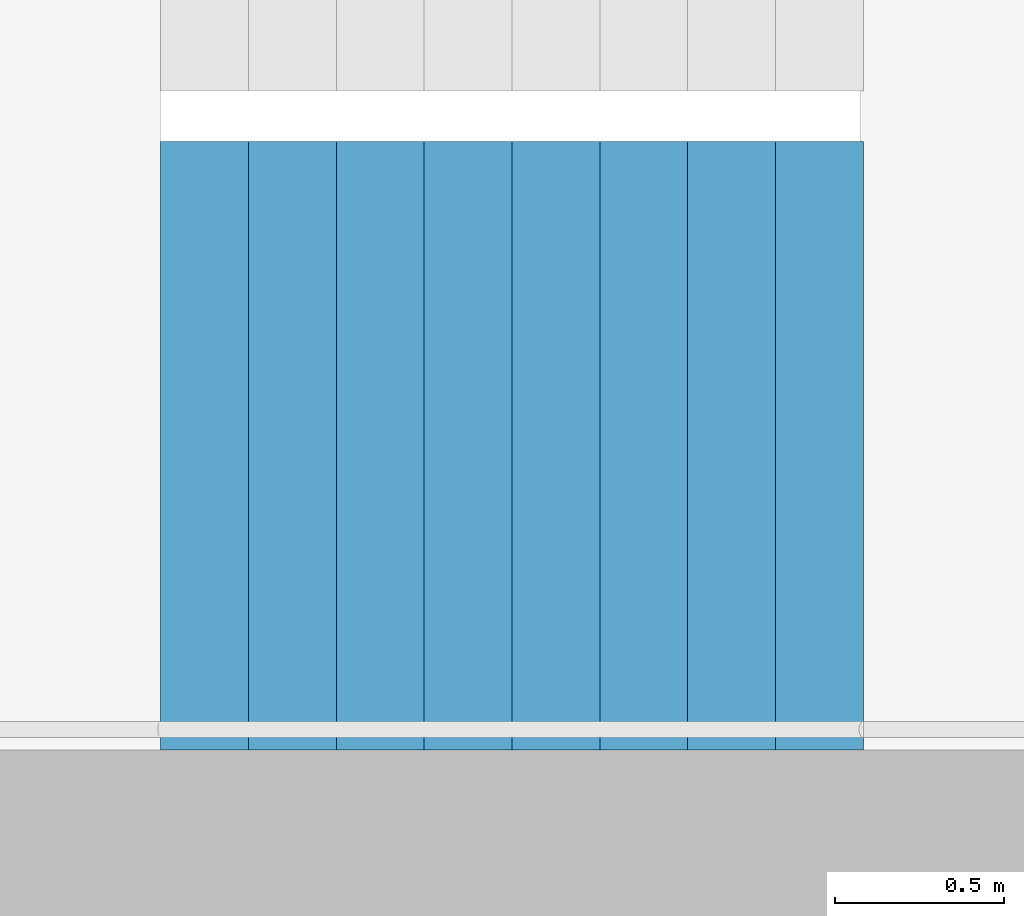
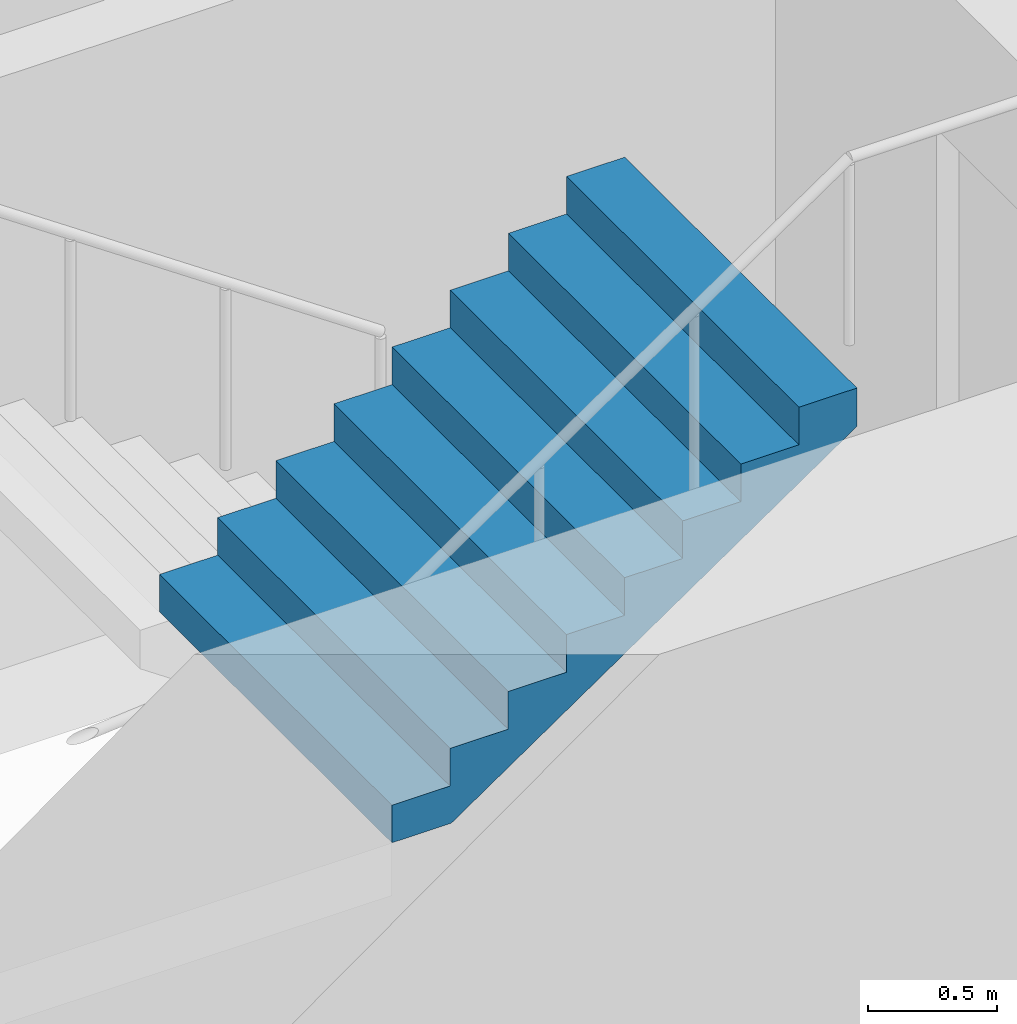
# One storey, part 21 of 29: 1 stair flight, 1 element without a shape of its own.
"""IFC4 building model written with IfcOpenShell, lengths in metres."""

from ifc_helpers import new_model, si_unit, direction, frame, origin, place, context, subcontext, project, spatial, triangles, material, type_object, element, aggregate, save


model = new_model("IFC4")

# Units and contexts
model_context = context("Model", 3, precision=1e-05, world=origin(), true_north=direction((0.0, 1.0)))
body_context = subcontext(model_context, "Body", "Model", "MODEL_VIEW")
ifc_project = project(units=[si_unit("LENGTHUNIT", "METRE"), si_unit("AREAUNIT", "SQUARE_METRE"), si_unit("VOLUMEUNIT", "CUBIC_METRE"), si_unit("PLANEANGLEUNIT", "RADIAN"), si_unit("MASSUNIT", "GRAM", prefix="KILO")], contexts=[model_context])

# Site, building, storey
site_placement = place(None, origin())
site = spatial("IfcSite", under=ifc_project, at=site_placement, CompositionType="ELEMENT")
building_placement = place(site_placement, origin())
building = spatial("IfcBuilding", under=site, at=building_placement, Name="Hakoniwa Tower and Hamabe Station Hall", CompositionType="ELEMENT")
storey_placement = place(building_placement, frame((0.0, 0.0, 88.199951171875)))
storey = spatial("IfcBuildingStorey", under=building, at=storey_placement, Name="L24", CompositionType="ELEMENT", Elevation=88.199951171875)

# Stair, stair flight
ifc_material_1 = material(Name="Concrete C40", Category="concrete")
stair_type = type_object("IfcStairType", Name="ESCAPE STAIR 1800", PredefinedType="HALF_TURN_STAIR", material=ifc_material_1)
stair_placement = place(storey_placement, origin())
stair = element("IfcStair", 1, at=stair_placement, inside=storey, type_object=stair_type, Name="Escape stair ST-2 L24", PredefinedType="HALF_TURN_STAIR")
ifc_material_2 = material(Name="Concrete C40", Category="concrete")
stair_flight_type = type_object("IfcStairFlightType", Name="STAIR FLIGHT 1800", PredefinedType="STRAIGHT", material=ifc_material_2)
stair_flight_placement = place(storey_placement, frame((-25.47998046875, -6.60009765625, 1.60009765625), z_axis=(0.0, 0.0, 1.0), x_axis=(1.0, 0.0, 0.0)))
stair_flight = element("IfcStairFlight", 2, at=stair_flight_placement, type_object=stair_flight_type, Name="ST-2 flight 2", NumberOfRisers=9, NumberOfTreads=8, PredefinedType="STRAIGHT", RiserHeight=0.177777778, TreadLength=0.26, context=body_context, shape_type="Tessellation", body=[
    triangles([(0.0, 0.89990234375, 0.0), (0.260009765625, 0.89990234375, 0.0), (0.265625, 0.89990234375, 0.0), (0.52001953125, 0.89990234375, 0.174072265625), (0.780029296875, 0.89990234375, 0.351806640625), (1.0400390625, 0.89990234375, 0.529541015625), (1.300048828125, 0.89990234375, 0.707275390625), (1.56005859375, 0.89990234375, 0.885009765625), (1.820068359375, 0.89990234375, 1.062744140625), (2.080078125, 0.89990234375, 1.24072265625), (2.080078125, 0.89990234375, 1.422119140625), (1.820068359375, 0.89990234375, 1.422119140625), (1.820068359375, 0.89990234375, 1.244384765625), (1.56005859375, 0.89990234375, 1.244384765625), (1.56005859375, 0.89990234375, 1.066650390625), (1.300048828125, 0.89990234375, 1.066650390625), (1.300048828125, 0.89990234375, 0.888916015625), (1.0400390625, 0.89990234375, 0.888916015625), (1.0400390625, 0.89990234375, 0.711181640625), (0.780029296875, 0.89990234375, 0.711181640625), (0.780029296875, 0.89990234375, 0.533447265625), (0.52001953125, 0.89990234375, 0.533447265625), (0.52001953125, 0.89990234375, 0.35546875), (0.265625, 0.89990234375, 0.35546875), (0.260009765625, 0.89990234375, 0.35546875), (0.260009765625, 0.89990234375, 0.177734375), (0.0, 0.89990234375, 0.177734375), (0.0, 0.06005859375, 0.0), (0.260009765625, 0.06005859375, 0.0), (0.265625, 0.06005859375, 0.0), (0.52001953125, 0.06005859375, 0.174072265625), (0.780029296875, 0.06005859375, 0.351806640625), (1.0400390625, 0.06005859375, 0.529541015625), (1.300048828125, 0.06005859375, 0.707275390625), (1.56005859375, 0.06005859375, 0.885009765625), (1.820068359375, 0.06005859375, 1.062744140625), (2.080078125, 0.06005859375, 1.24072265625), (2.080078125, 0.06005859375, 1.422119140625), (1.820068359375, 0.06005859375, 1.422119140625), (1.820068359375, 0.06005859375, 1.244384765625), (1.56005859375, 0.06005859375, 1.244384765625), (1.56005859375, 0.06005859375, 1.066650390625), (1.300048828125, 0.06005859375, 1.066650390625), (1.300048828125, 0.06005859375, 0.888916015625), (1.0400390625, 0.06005859375, 0.888916015625), (1.0400390625, 0.06005859375, 0.711181640625), (0.780029296875, 0.06005859375, 0.711181640625), (0.780029296875, 0.06005859375, 0.533447265625), (0.52001953125, 0.06005859375, 0.533447265625), (0.52001953125, 0.06005859375, 0.35546875), (0.265625, 0.06005859375, 0.35546875), (0.260009765625, 0.06005859375, 0.35546875), (0.260009765625, 0.06005859375, 0.177734375), (0.0, 0.06005859375, 0.177734375), (0.0, 0.04296875, 0.0), (0.260009765625, 0.04296875, 0.0), (0.265625, 0.04296875, 0.0), (0.52001953125, 0.04296875, 0.174072265625), (0.780029296875, 0.04296875, 0.351806640625), (1.0400390625, 0.04296875, 0.529541015625), (1.300048828125, 0.04296875, 0.707275390625), (1.56005859375, 0.04296875, 0.885009765625), (1.820068359375, 0.04296875, 1.062744140625), (2.080078125, 0.04296875, 1.24072265625), (2.080078125, 0.04296875, 1.422119140625), (1.820068359375, 0.04296875, 1.422119140625), (1.820068359375, 0.04296875, 1.244384765625), (1.56005859375, 0.04296875, 1.244384765625), (1.56005859375, 0.04296875, 1.066650390625), (1.300048828125, 0.04296875, 1.066650390625), (1.300048828125, 0.04296875, 0.888916015625), (1.0400390625, 0.04296875, 0.888916015625), (1.0400390625, 0.04296875, 0.711181640625), (0.780029296875, 0.04296875, 0.711181640625), (0.780029296875, 0.04296875, 0.533447265625), (0.52001953125, 0.04296875, 0.533447265625), (0.52001953125, 0.04296875, 0.35546875), (0.265625, 0.04296875, 0.35546875), (0.260009765625, 0.04296875, 0.35546875), (0.260009765625, 0.04296875, 0.177734375), (0.0, 0.04296875, 0.177734375), (0.0, 0.025634765625, 0.0), (0.260009765625, 0.025634765625, 0.0), (0.265625, 0.025634765625, 0.0), (0.52001953125, 0.025634765625, 0.174072265625), (0.780029296875, 0.025634765625, 0.351806640625), (1.0400390625, 0.025634765625, 0.529541015625), (1.300048828125, 0.025634765625, 0.707275390625), (1.56005859375, 0.025634765625, 0.885009765625), (1.820068359375, 0.025634765625, 1.062744140625), (2.080078125, 0.025634765625, 1.24072265625), (2.080078125, 0.025634765625, 1.422119140625), (1.820068359375, 0.025634765625, 1.422119140625), (1.820068359375, 0.025634765625, 1.244384765625), (1.56005859375, 0.025634765625, 1.244384765625), (1.56005859375, 0.025634765625, 1.066650390625), (1.300048828125, 0.025634765625, 1.066650390625), (1.300048828125, 0.025634765625, 0.888916015625), (1.0400390625, 0.025634765625, 0.888916015625), (1.0400390625, 0.025634765625, 0.711181640625), (0.780029296875, 0.025634765625, 0.711181640625), (0.780029296875, 0.025634765625, 0.533447265625), (0.52001953125, 0.025634765625, 0.533447265625), (0.52001953125, 0.025634765625, 0.35546875), (0.265625, 0.025634765625, 0.35546875), (0.260009765625, 0.025634765625, 0.35546875), (0.260009765625, 0.025634765625, 0.177734375), (0.0, 0.025634765625, 0.177734375), (0.0, 0.008544921875, 0.0), (0.260009765625, 0.008544921875, 0.0), (0.265625, 0.008544921875, 0.0), (0.52001953125, 0.008544921875, 0.174072265625), (0.780029296875, 0.008544921875, 0.351806640625), (1.0400390625, 0.008544921875, 0.529541015625), (1.300048828125, 0.008544921875, 0.707275390625), (1.56005859375, 0.008544921875, 0.885009765625), (1.820068359375, 0.008544921875, 1.062744140625), (2.080078125, 0.008544921875, 1.24072265625), (2.080078125, 0.008544921875, 1.422119140625), (1.820068359375, 0.008544921875, 1.422119140625), (1.820068359375, 0.008544921875, 1.244384765625), (1.56005859375, 0.008544921875, 1.244384765625), (1.56005859375, 0.008544921875, 1.066650390625), (1.300048828125, 0.008544921875, 1.066650390625), (1.300048828125, 0.008544921875, 0.888916015625), (1.0400390625, 0.008544921875, 0.888916015625), (1.0400390625, 0.008544921875, 0.711181640625), (0.780029296875, 0.008544921875, 0.711181640625), (0.780029296875, 0.008544921875, 0.533447265625), (0.52001953125, 0.008544921875, 0.533447265625), (0.52001953125, 0.008544921875, 0.35546875), (0.265625, 0.008544921875, 0.35546875), (0.260009765625, 0.008544921875, 0.35546875), (0.260009765625, 0.008544921875, 0.177734375), (0.0, 0.008544921875, 0.177734375), (0.0, -0.008544921875, 0.0), (0.260009765625, -0.008544921875, 0.0), (0.265625, -0.008544921875, 0.0), (0.52001953125, -0.008544921875, 0.174072265625), (0.780029296875, -0.008544921875, 0.351806640625), (1.0400390625, -0.008544921875, 0.529541015625), (1.300048828125, -0.008544921875, 0.707275390625), (1.56005859375, -0.008544921875, 0.885009765625), (1.820068359375, -0.008544921875, 1.062744140625), (2.080078125, -0.008544921875, 1.24072265625), (2.080078125, -0.008544921875, 1.422119140625), (1.820068359375, -0.008544921875, 1.422119140625), (1.820068359375, -0.008544921875, 1.244384765625), (1.56005859375, -0.008544921875, 1.244384765625), (1.56005859375, -0.008544921875, 1.066650390625), (1.300048828125, -0.008544921875, 1.066650390625), (1.300048828125, -0.008544921875, 0.888916015625), (1.0400390625, -0.008544921875, 0.888916015625), (1.0400390625, -0.008544921875, 0.711181640625), (0.780029296875, -0.008544921875, 0.711181640625), (0.780029296875, -0.008544921875, 0.533447265625), (0.52001953125, -0.008544921875, 0.533447265625), (0.52001953125, -0.008544921875, 0.35546875), (0.265625, -0.008544921875, 0.35546875), (0.260009765625, -0.008544921875, 0.35546875), (0.260009765625, -0.008544921875, 0.177734375), (0.0, -0.008544921875, 0.177734375), (0.0, -0.025634765625, 0.0), (0.260009765625, -0.025634765625, 0.0), (0.265625, -0.025634765625, 0.0), (0.52001953125, -0.025634765625, 0.174072265625), (0.780029296875, -0.025634765625, 0.351806640625), (1.0400390625, -0.025634765625, 0.529541015625), (1.300048828125, -0.025634765625, 0.707275390625), (1.56005859375, -0.025634765625, 0.885009765625), (1.820068359375, -0.025634765625, 1.062744140625), (2.080078125, -0.025634765625, 1.24072265625), (2.080078125, -0.025634765625, 1.422119140625), (1.820068359375, -0.025634765625, 1.422119140625), (1.820068359375, -0.025634765625, 1.244384765625), (1.56005859375, -0.025634765625, 1.244384765625), (1.56005859375, -0.025634765625, 1.066650390625), (1.300048828125, -0.025634765625, 1.066650390625), (1.300048828125, -0.025634765625, 0.888916015625), (1.0400390625, -0.025634765625, 0.888916015625), (1.0400390625, -0.025634765625, 0.711181640625), (0.780029296875, -0.025634765625, 0.711181640625), (0.780029296875, -0.025634765625, 0.533447265625), (0.52001953125, -0.025634765625, 0.533447265625), (0.52001953125, -0.025634765625, 0.35546875), (0.265625, -0.025634765625, 0.35546875), (0.260009765625, -0.025634765625, 0.35546875), (0.260009765625, -0.025634765625, 0.177734375), (0.0, -0.025634765625, 0.177734375), (0.0, -0.04296875, 0.0), (0.260009765625, -0.04296875, 0.0), (0.265625, -0.04296875, 0.0), (0.52001953125, -0.04296875, 0.174072265625), (0.780029296875, -0.04296875, 0.351806640625), (1.0400390625, -0.04296875, 0.529541015625), (1.300048828125, -0.04296875, 0.707275390625), (1.56005859375, -0.04296875, 0.885009765625), (1.820068359375, -0.04296875, 1.062744140625), (2.080078125, -0.04296875, 1.24072265625), (2.080078125, -0.04296875, 1.422119140625), (1.820068359375, -0.04296875, 1.422119140625), (1.820068359375, -0.04296875, 1.244384765625), (1.56005859375, -0.04296875, 1.244384765625), (1.56005859375, -0.04296875, 1.066650390625), (1.300048828125, -0.04296875, 1.066650390625), (1.300048828125, -0.04296875, 0.888916015625), (1.0400390625, -0.04296875, 0.888916015625), (1.0400390625, -0.04296875, 0.711181640625), (0.780029296875, -0.04296875, 0.711181640625), (0.780029296875, -0.04296875, 0.533447265625), (0.52001953125, -0.04296875, 0.533447265625), (0.52001953125, -0.04296875, 0.35546875), (0.265625, -0.04296875, 0.35546875), (0.260009765625, -0.04296875, 0.35546875), (0.260009765625, -0.04296875, 0.177734375), (0.0, -0.04296875, 0.177734375), (0.0, -0.06005859375, 0.0), (0.260009765625, -0.06005859375, 0.0), (0.265625, -0.06005859375, 0.0), (0.52001953125, -0.06005859375, 0.174072265625), (0.780029296875, -0.06005859375, 0.351806640625), (1.0400390625, -0.06005859375, 0.529541015625), (1.300048828125, -0.06005859375, 0.707275390625), (1.56005859375, -0.06005859375, 0.885009765625), (1.820068359375, -0.06005859375, 1.062744140625), (2.080078125, -0.06005859375, 1.24072265625), (2.080078125, -0.06005859375, 1.422119140625), (1.820068359375, -0.06005859375, 1.422119140625), (1.820068359375, -0.06005859375, 1.244384765625), (1.56005859375, -0.06005859375, 1.244384765625), (1.56005859375, -0.06005859375, 1.066650390625), (1.300048828125, -0.06005859375, 1.066650390625), (1.300048828125, -0.06005859375, 0.888916015625), (1.0400390625, -0.06005859375, 0.888916015625), (1.0400390625, -0.06005859375, 0.711181640625), (0.780029296875, -0.06005859375, 0.711181640625), (0.780029296875, -0.06005859375, 0.533447265625), (0.52001953125, -0.06005859375, 0.533447265625), (0.52001953125, -0.06005859375, 0.35546875), (0.265625, -0.06005859375, 0.35546875), (0.260009765625, -0.06005859375, 0.35546875), (0.260009765625, -0.06005859375, 0.177734375), (0.0, -0.06005859375, 0.177734375), (0.0, -0.89990234375, 0.0), (0.260009765625, -0.89990234375, 0.0), (0.265625, -0.89990234375, 0.0), (0.52001953125, -0.89990234375, 0.174072265625), (0.780029296875, -0.89990234375, 0.351806640625), (1.0400390625, -0.89990234375, 0.529541015625), (1.300048828125, -0.89990234375, 0.707275390625), (1.56005859375, -0.89990234375, 0.885009765625), (1.820068359375, -0.89990234375, 1.062744140625), (2.080078125, -0.89990234375, 1.24072265625), (2.080078125, -0.89990234375, 1.422119140625), (1.820068359375, -0.89990234375, 1.422119140625), (1.820068359375, -0.89990234375, 1.244384765625), (1.56005859375, -0.89990234375, 1.244384765625), (1.56005859375, -0.89990234375, 1.066650390625), (1.300048828125, -0.89990234375, 1.066650390625), (1.300048828125, -0.89990234375, 0.888916015625), (1.0400390625, -0.89990234375, 0.888916015625), (1.0400390625, -0.89990234375, 0.711181640625), (0.780029296875, -0.89990234375, 0.711181640625), (0.780029296875, -0.89990234375, 0.533447265625), (0.52001953125, -0.89990234375, 0.533447265625), (0.52001953125, -0.89990234375, 0.35546875), (0.265625, -0.89990234375, 0.35546875), (0.260009765625, -0.89990234375, 0.35546875), (0.260009765625, -0.89990234375, 0.177734375), (0.0, -0.89990234375, 0.177734375)], [[2, 27, 26], [245, 269, 270], [2, 1, 27], [245, 270, 244], [3, 25, 24], [246, 267, 268], [3, 26, 25], [246, 268, 269], [3, 2, 26], [246, 269, 245], [4, 24, 23], [247, 266, 267], [4, 3, 24], [247, 267, 246], [5, 22, 21], [248, 264, 265], [5, 23, 22], [248, 265, 266], [5, 4, 23], [248, 266, 247], [6, 20, 19], [249, 262, 263], [6, 21, 20], [249, 263, 264], [6, 5, 21], [249, 264, 248], [7, 18, 17], [250, 260, 261], [7, 19, 18], [250, 261, 262], [7, 6, 19], [250, 262, 249], [8, 16, 15], [251, 258, 259], [8, 17, 16], [251, 259, 260], [8, 7, 17], [251, 260, 250], [9, 14, 13], [252, 256, 257], [9, 15, 14], [252, 257, 258], [9, 8, 15], [252, 258, 251], [10, 12, 11], [253, 254, 255], [10, 13, 12], [253, 255, 256], [10, 9, 13], [253, 256, 252], [1, 2, 29], [1, 29, 28], [28, 29, 56], [28, 56, 55], [55, 56, 83], [55, 83, 82], [82, 83, 110], [82, 110, 109], [109, 110, 137], [109, 137, 136], [136, 137, 164], [136, 164, 163], [163, 164, 191], [163, 191, 190], [190, 191, 218], [190, 218, 217], [217, 218, 245], [217, 245, 244], [2, 3, 30], [2, 30, 29], [29, 30, 57], [29, 57, 56], [56, 57, 84], [56, 84, 83], [83, 84, 111], [83, 111, 110], [110, 111, 138], [110, 138, 137], [137, 138, 165], [137, 165, 164], [164, 165, 192], [164, 192, 191], [191, 192, 219], [191, 219, 218], [218, 219, 246], [218, 246, 245], [3, 4, 31], [3, 31, 30], [30, 31, 58], [30, 58, 57], [57, 58, 85], [57, 85, 84], [84, 85, 112], [84, 112, 111], [111, 112, 139], [111, 139, 138], [138, 139, 166], [138, 166, 165], [165, 166, 193], [165, 193, 192], [192, 193, 220], [192, 220, 219], [219, 220, 247], [219, 247, 246], [4, 5, 32], [4, 32, 31], [31, 32, 59], [31, 59, 58], [58, 59, 86], [58, 86, 85], [85, 86, 113], [85, 113, 112], [112, 113, 140], [112, 140, 139], [139, 140, 167], [139, 167, 166], [166, 167, 194], [166, 194, 193], [193, 194, 221], [193, 221, 220], [220, 221, 248], [220, 248, 247], [5, 6, 33], [5, 33, 32], [32, 33, 60], [32, 60, 59], [59, 60, 87], [59, 87, 86], [86, 87, 114], [86, 114, 113], [113, 114, 141], [113, 141, 140], [140, 141, 168], [140, 168, 167], [167, 168, 195], [167, 195, 194], [194, 195, 222], [194, 222, 221], [221, 222, 249], [221, 249, 248], [6, 7, 34], [6, 34, 33], [33, 34, 61], [33, 61, 60], [60, 61, 88], [60, 88, 87], [87, 88, 115], [87, 115, 114], [114, 115, 142], [114, 142, 141], [141, 142, 169], [141, 169, 168], [168, 169, 196], [168, 196, 195], [195, 196, 223], [195, 223, 222], [222, 223, 250], [222, 250, 249], [7, 8, 35], [7, 35, 34], [34, 35, 62], [34, 62, 61], [61, 62, 89], [61, 89, 88], [88, 89, 116], [88, 116, 115], [115, 116, 143], [115, 143, 142], [142, 143, 170], [142, 170, 169], [169, 170, 197], [169, 197, 196], [196, 197, 224], [196, 224, 223], [223, 224, 251], [223, 251, 250], [8, 9, 36], [8, 36, 35], [35, 36, 63], [35, 63, 62], [62, 63, 90], [62, 90, 89], [89, 90, 117], [89, 117, 116], [116, 117, 144], [116, 144, 143], [143, 144, 171], [143, 171, 170], [170, 171, 198], [170, 198, 197], [197, 198, 225], [197, 225, 224], [224, 225, 252], [224, 252, 251], [9, 10, 37], [9, 37, 36], [36, 37, 64], [36, 64, 63], [63, 64, 91], [63, 91, 90], [90, 91, 118], [90, 118, 117], [117, 118, 145], [117, 145, 144], [144, 145, 172], [144, 172, 171], [171, 172, 199], [171, 199, 198], [198, 199, 226], [198, 226, 225], [225, 226, 253], [225, 253, 252], [10, 11, 38], [10, 38, 37], [37, 38, 65], [37, 65, 64], [64, 65, 92], [64, 92, 91], [91, 92, 119], [91, 119, 118], [118, 119, 146], [118, 146, 145], [145, 146, 173], [145, 173, 172], [172, 173, 200], [172, 200, 199], [199, 200, 227], [199, 227, 226], [226, 227, 254], [226, 254, 253], [11, 12, 39], [11, 39, 38], [38, 39, 66], [38, 66, 65], [65, 66, 93], [65, 93, 92], [92, 93, 120], [92, 120, 119], [119, 120, 147], [119, 147, 146], [146, 147, 174], [146, 174, 173], [173, 174, 201], [173, 201, 200], [200, 201, 228], [200, 228, 227], [227, 228, 255], [227, 255, 254], [12, 13, 40], [12, 40, 39], [39, 40, 67], [39, 67, 66], [66, 67, 94], [66, 94, 93], [93, 94, 121], [93, 121, 120], [120, 121, 148], [120, 148, 147], [147, 148, 175], [147, 175, 174], [174, 175, 202], [174, 202, 201], [201, 202, 229], [201, 229, 228], [228, 229, 256], [228, 256, 255], [13, 14, 41], [13, 41, 40], [40, 41, 68], [40, 68, 67], [67, 68, 95], [67, 95, 94], [94, 95, 122], [94, 122, 121], [121, 122, 149], [121, 149, 148], [148, 149, 176], [148, 176, 175], [175, 176, 203], [175, 203, 202], [202, 203, 230], [202, 230, 229], [229, 230, 257], [229, 257, 256], [14, 15, 42], [14, 42, 41], [41, 42, 69], [41, 69, 68], [68, 69, 96], [68, 96, 95], [95, 96, 123], [95, 123, 122], [122, 123, 150], [122, 150, 149], [149, 150, 177], [149, 177, 176], [176, 177, 204], [176, 204, 203], [203, 204, 231], [203, 231, 230], [230, 231, 258], [230, 258, 257], [15, 16, 43], [15, 43, 42], [42, 43, 70], [42, 70, 69], [69, 70, 97], [69, 97, 96], [96, 97, 124], [96, 124, 123], [123, 124, 151], [123, 151, 150], [150, 151, 178], [150, 178, 177], [177, 178, 205], [177, 205, 204], [204, 205, 232], [204, 232, 231], [231, 232, 259], [231, 259, 258], [16, 17, 44], [16, 44, 43], [43, 44, 71], [43, 71, 70], [70, 71, 98], [70, 98, 97], [97, 98, 125], [97, 125, 124], [124, 125, 152], [124, 152, 151], [151, 152, 179], [151, 179, 178], [178, 179, 206], [178, 206, 205], [205, 206, 233], [205, 233, 232], [232, 233, 260], [232, 260, 259], [17, 18, 45], [17, 45, 44], [44, 45, 72], [44, 72, 71], [71, 72, 99], [71, 99, 98], [98, 99, 126], [98, 126, 125], [125, 126, 153], [125, 153, 152], [152, 153, 180], [152, 180, 179], [179, 180, 207], [179, 207, 206], [206, 207, 234], [206, 234, 233], [233, 234, 261], [233, 261, 260], [18, 19, 46], [18, 46, 45], [45, 46, 73], [45, 73, 72], [72, 73, 100], [72, 100, 99], [99, 100, 127], [99, 127, 126], [126, 127, 154], [126, 154, 153], [153, 154, 181], [153, 181, 180], [180, 181, 208], [180, 208, 207], [207, 208, 235], [207, 235, 234], [234, 235, 262], [234, 262, 261], [19, 20, 47], [19, 47, 46], [46, 47, 74], [46, 74, 73], [73, 74, 101], [73, 101, 100], [100, 101, 128], [100, 128, 127], [127, 128, 155], [127, 155, 154], [154, 155, 182], [154, 182, 181], [181, 182, 209], [181, 209, 208], [208, 209, 236], [208, 236, 235], [235, 236, 263], [235, 263, 262], [20, 21, 48], [20, 48, 47], [47, 48, 75], [47, 75, 74], [74, 75, 102], [74, 102, 101], [101, 102, 129], [101, 129, 128], [128, 129, 156], [128, 156, 155], [155, 156, 183], [155, 183, 182], [182, 183, 210], [182, 210, 209], [209, 210, 237], [209, 237, 236], [236, 237, 264], [236, 264, 263], [21, 22, 49], [21, 49, 48], [48, 49, 76], [48, 76, 75], [75, 76, 103], [75, 103, 102], [102, 103, 130], [102, 130, 129], [129, 130, 157], [129, 157, 156], [156, 157, 184], [156, 184, 183], [183, 184, 211], [183, 211, 210], [210, 211, 238], [210, 238, 237], [237, 238, 265], [237, 265, 264], [22, 23, 50], [22, 50, 49], [49, 50, 77], [49, 77, 76], [76, 77, 104], [76, 104, 103], [103, 104, 131], [103, 131, 130], [130, 131, 158], [130, 158, 157], [157, 158, 185], [157, 185, 184], [184, 185, 212], [184, 212, 211], [211, 212, 239], [211, 239, 238], [238, 239, 266], [238, 266, 265], [23, 24, 51], [23, 51, 50], [50, 51, 78], [50, 78, 77], [77, 78, 105], [77, 105, 104], [104, 105, 132], [104, 132, 131], [131, 132, 159], [131, 159, 158], [158, 159, 186], [158, 186, 185], [185, 186, 213], [185, 213, 212], [212, 213, 240], [212, 240, 239], [239, 240, 267], [239, 267, 266], [24, 25, 52], [24, 52, 51], [51, 52, 79], [51, 79, 78], [78, 79, 106], [78, 106, 105], [105, 106, 133], [105, 133, 132], [132, 133, 160], [132, 160, 159], [159, 160, 187], [159, 187, 186], [186, 187, 214], [186, 214, 213], [213, 214, 241], [213, 241, 240], [240, 241, 268], [240, 268, 267], [25, 26, 53], [25, 53, 52], [52, 53, 80], [52, 80, 79], [79, 80, 107], [79, 107, 106], [106, 107, 134], [106, 134, 133], [133, 134, 161], [133, 161, 160], [160, 161, 188], [160, 188, 187], [187, 188, 215], [187, 215, 214], [214, 215, 242], [214, 242, 241], [241, 242, 269], [241, 269, 268], [26, 27, 54], [26, 54, 53], [53, 54, 81], [53, 81, 80], [80, 81, 108], [80, 108, 107], [107, 108, 135], [107, 135, 134], [134, 135, 162], [134, 162, 161], [161, 162, 189], [161, 189, 188], [188, 189, 216], [188, 216, 215], [215, 216, 243], [215, 243, 242], [242, 243, 270], [242, 270, 269], [27, 1, 28], [27, 28, 54], [54, 28, 55], [54, 55, 81], [81, 55, 82], [81, 82, 108], [108, 82, 109], [108, 109, 135], [135, 109, 136], [135, 136, 162], [162, 136, 163], [162, 163, 189], [189, 163, 190], [189, 190, 216], [216, 190, 217], [216, 217, 243], [243, 217, 244], [243, 244, 270]], closed=True),
])
aggregate(stair, [stair_flight])

save(model, "model.ifc")
